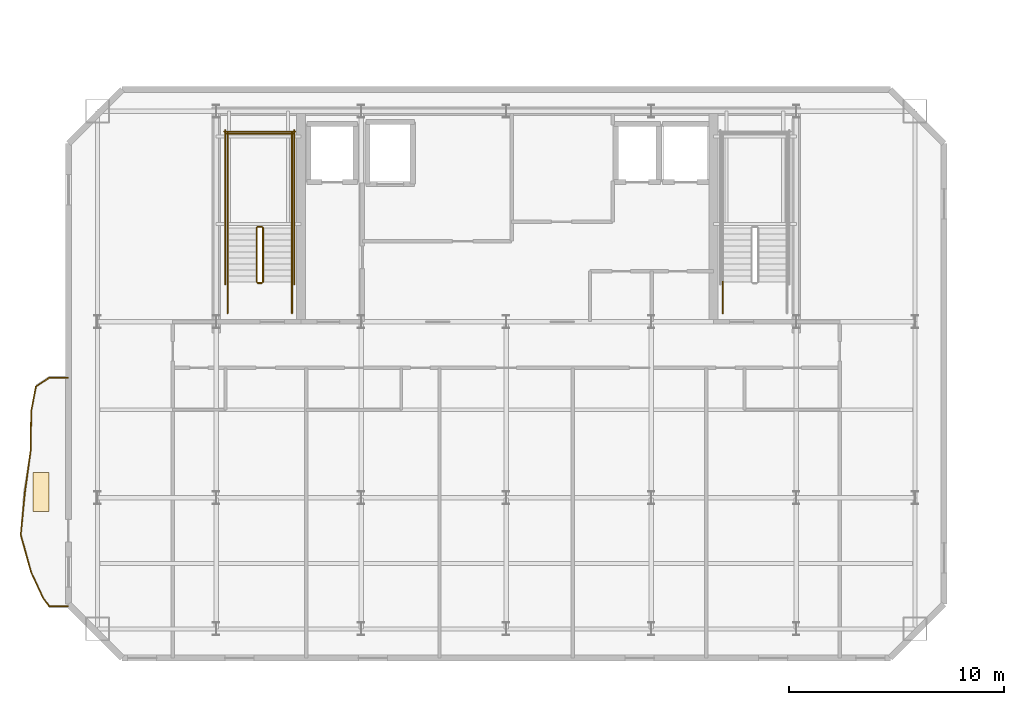
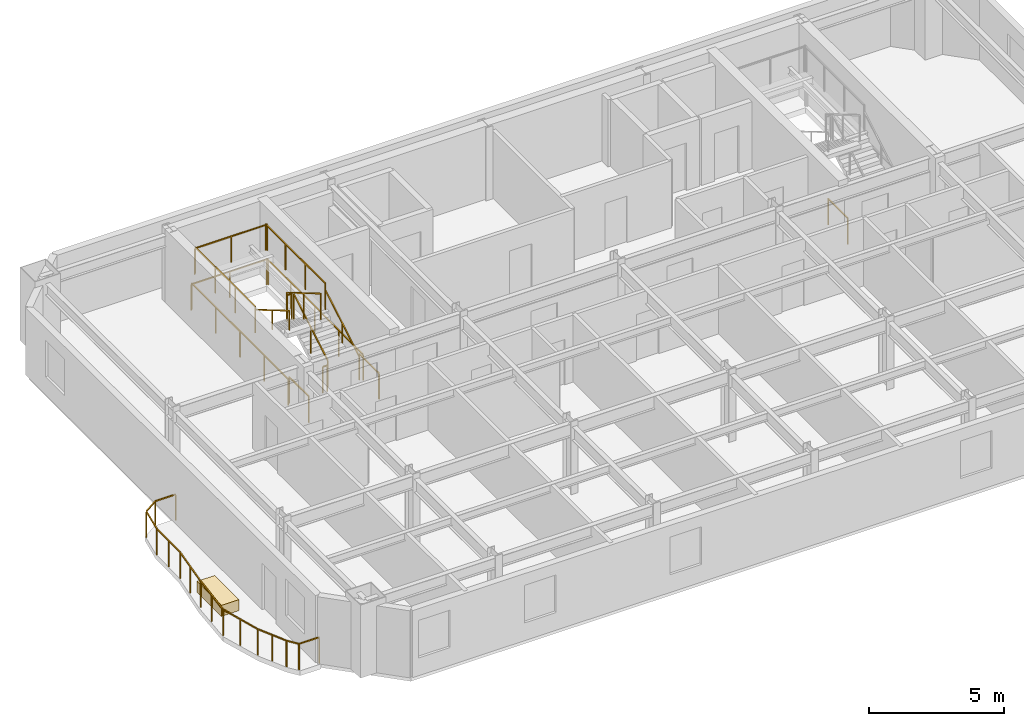
# One storey, part 10 of 14: 25 railings, 1 covering.
"""IFC4 building model written with IfcOpenShell, lengths in metres."""

from ifc_helpers import new_model, si_unit, direction, frame, origin, origin_2d, place, context, subcontext, project, spatial, rectangle, extrude, material, layer, layer_set, type_object, element, save


model = new_model("IFC4")

# Units and contexts
model_context = context("Model", 3, precision=1e-05, world=origin(), true_north=direction((0.0, 1.0)))
body_context = subcontext(model_context, "Body", "Model", "MODEL_VIEW")
ifc_project = project(units=[si_unit("LENGTHUNIT", "METRE"), si_unit("AREAUNIT", "SQUARE_METRE"), si_unit("VOLUMEUNIT", "CUBIC_METRE"), si_unit("PLANEANGLEUNIT", "RADIAN"), si_unit("MASSUNIT", "GRAM", prefix="KILO")], contexts=[model_context])

# Site, building, storey
site_placement = place(None, origin())
site = spatial("IfcSite", under=ifc_project, at=site_placement, CompositionType="ELEMENT")
building_placement = place(site_placement, origin())
building = spatial("IfcBuilding", under=site, at=building_placement, Name="Haevon Station Towers", CompositionType="ELEMENT")
storey_placement = place(building_placement, frame((0.0, 0.0, 205.5)))
storey = spatial("IfcBuildingStorey", under=building, at=storey_placement, Name="L56", CompositionType="ELEMENT", Elevation=205.5)

# Railings
ifc_material_1 = material(Name="Steel S355", Category="steel")
railing_type_1 = type_object("IfcRailingType", Name="GRD-EXT1200", PredefinedType="GUARDRAIL", material=ifc_material_1)
railing_1_placement = place(storey_placement, frame((17.1015625, 35.59716796875, 0.0)))
element("IfcRailing", 1, at=railing_1_placement, inside=storey, type_object=railing_type_1, Name="L56 Perimeter Guardrail 1", PredefinedType="GUARDRAIL", context=body_context, shape_type="SweptSolid", body=[
    extrude(rectangle(XDim=0.048095703125, YDim=0.048095703125, at=origin_2d()), frame((0.0, 0.0, 1.17578125), z_axis=(-0.999997476494, -0.002246554286, 0.0), x_axis=(0.002246554286, -0.999997476494, 0.0)), (0.0, 0.0, 1.0), 0.869384765625),
    extrude(rectangle(XDim=0.0419921875, YDim=0.0419921875, at=origin_2d()), origin(), (0.0, 0.0, 1.0), 1.15185546875),
    extrude(rectangle(XDim=0.0419921875, YDim=0.0419921875, at=origin_2d()), frame((-0.869384765625, -0.001953125, 0.0)), (0.0, 0.0, 1.0), 1.15185546875),
])
railing_2_placement = place(storey_placement, frame((16.232177734375, 35.59521484375, 0.0)))
element("IfcRailing", 2, at=railing_2_placement, inside=storey, type_object=railing_type_1, Name="L56 Perimeter Guardrail 2", PredefinedType="GUARDRAIL", context=body_context, shape_type="SweptSolid", body=[
    extrude(rectangle(XDim=0.048095703125, YDim=0.048095703125, at=origin_2d()), frame((0.0, 0.0, 1.17578125), z_axis=(-0.833160144028, -0.553031802343, 0.0), x_axis=(0.553031802343, -0.833160144028, 0.0)), (0.0, 0.0, 1.0), 0.743408203125),
    extrude(rectangle(XDim=0.0419921875, YDim=0.0419921875, at=origin_2d()), origin(), (0.0, 0.0, 1.0), 1.15185546875),
    extrude(rectangle(XDim=0.0419921875, YDim=0.0419921875, at=origin_2d()), frame((-0.619384765625, -0.4111328125, 0.0)), (0.0, 0.0, 1.0), 1.15185546875),
])
railing_3_placement = place(storey_placement, frame((15.61279296875, 35.18408203125, 0.0)))
element("IfcRailing", 3, at=railing_3_placement, inside=storey, type_object=railing_type_1, Name="L56 Perimeter Guardrail 3", PredefinedType="GUARDRAIL", context=body_context, shape_type="SweptSolid", body=[
    extrude(rectangle(XDim=0.048095703125, YDim=0.048095703125, at=origin_2d()), frame((0.0, 0.0, 1.17578125), z_axis=(-0.18988815167, -0.981805729182, 0.0), x_axis=(0.981805729182, -0.18988815167, 0.0)), (0.0, 0.0, 1.0), 1.19189453125),
    extrude(rectangle(XDim=0.0419921875, YDim=0.0419921875, at=origin_2d()), origin(), (0.0, 0.0, 1.0), 1.15185546875),
    extrude(rectangle(XDim=0.0419921875, YDim=0.0419921875, at=origin_2d()), frame((-0.226318359375, -1.170166015625, 0.0)), (0.0, 0.0, 1.0), 1.15185546875),
])
railing_4_placement = place(storey_placement, frame((15.386474609375, 34.013916015625, 0.0)))
element("IfcRailing", 4, at=railing_4_placement, inside=storey, type_object=railing_type_1, Name="L56 Perimeter Guardrail 4", PredefinedType="GUARDRAIL", context=body_context, shape_type="SweptSolid", body=[
    extrude(rectangle(XDim=0.048095703125, YDim=0.048095703125, at=origin_2d()), frame((0.0, 0.0, 1.17578125), z_axis=(-0.007392739808, -0.999972673326, 0.0), x_axis=(0.999972673326, -0.007392739808, 0.0)), (0.0, 0.0, 1.0), 1.750244140625),
    extrude(rectangle(XDim=0.0419921875, YDim=0.0419921875, at=origin_2d()), origin(), (0.0, 0.0, 1.0), 1.15185546875),
    extrude(rectangle(XDim=0.0419921875, YDim=0.0419921875, at=origin_2d()), frame((-0.00634765625, -0.875, 0.0)), (0.0, 0.0, 1.0), 1.15185546875),
    extrude(rectangle(XDim=0.0419921875, YDim=0.0419921875, at=origin_2d()), frame((-0.012939453125, -1.750244140625, 0.0)), (0.0, 0.0, 1.0), 1.15185546875),
])
railing_5_placement = place(storey_placement, frame((15.37353515625, 32.263671875, 0.0)))
element("IfcRailing", 5, at=railing_5_placement, inside=storey, type_object=railing_type_1, Name="L56 Perimeter Guardrail 5", PredefinedType="GUARDRAIL", context=body_context, shape_type="SweptSolid", body=[
    extrude(rectangle(XDim=0.048095703125, YDim=0.048095703125, at=origin_2d()), frame((0.0, 0.0, 1.17578125), z_axis=(-0.136209388556, -0.990680070693, 0.0), x_axis=(0.990680070693, -0.136209388556, 0.0)), (0.0, 0.0, 1.0), 2.007568359375),
    extrude(rectangle(XDim=0.0419921875, YDim=0.0419921875, at=origin_2d()), origin(), (0.0, 0.0, 1.0), 1.15185546875),
    extrude(rectangle(XDim=0.0419921875, YDim=0.0419921875, at=origin_2d()), frame((-0.13671875, -0.994384765625, 0.0)), (0.0, 0.0, 1.0), 1.15185546875),
    extrude(rectangle(XDim=0.0419921875, YDim=0.0419921875, at=origin_2d()), frame((-0.2734375, -1.98876953125, 0.0)), (0.0, 0.0, 1.0), 1.15185546875),
])
railing_6_placement = place(storey_placement, frame((15.10009765625, 30.27490234375, 0.0)))
element("IfcRailing", 6, at=railing_6_placement, inside=storey, type_object=railing_type_1, Name="L56 Perimeter Guardrail 6", PredefinedType="GUARDRAIL", context=body_context, shape_type="SweptSolid", body=[
    extrude(rectangle(XDim=0.048095703125, YDim=0.048095703125, at=origin_2d()), frame((0.0, 0.0, 1.17578125), z_axis=(-0.097729986477, -0.995212967029, 0.0), x_axis=(0.995212967029, -0.097729986477, 0.0)), (0.0, 0.0, 1.0), 2.00341796875),
    extrude(rectangle(XDim=0.0419921875, YDim=0.0419921875, at=origin_2d()), origin(), (0.0, 0.0, 1.0), 1.15185546875),
    extrude(rectangle(XDim=0.0419921875, YDim=0.0419921875, at=origin_2d()), frame((-0.097900390625, -0.9970703125, 0.0)), (0.0, 0.0, 1.0), 1.15185546875),
    extrude(rectangle(XDim=0.0419921875, YDim=0.0419921875, at=origin_2d()), frame((-0.19580078125, -1.993896484375, 0.0)), (0.0, 0.0, 1.0), 1.15185546875),
])
railing_7_placement = place(storey_placement, frame((14.904296875, 28.281005859375, 0.0)))
element("IfcRailing", 7, at=railing_7_placement, inside=storey, type_object=railing_type_1, Name="L56 Perimeter Guardrail 7", PredefinedType="GUARDRAIL", context=body_context, shape_type="SweptSolid", body=[
    extrude(rectangle(XDim=0.048095703125, YDim=0.048095703125, at=origin_2d()), frame((0.0, 0.0, 1.17578125), z_axis=(0.266356811872, -0.963874498454, 0.0), x_axis=(0.963874498454, 0.266356811872, 0.0)), (0.0, 0.0, 1.0), 1.810302734375),
    extrude(rectangle(XDim=0.0419921875, YDim=0.0419921875, at=origin_2d()), origin(), (0.0, 0.0, 1.0), 1.15185546875),
    extrude(rectangle(XDim=0.0419921875, YDim=0.0419921875, at=origin_2d()), frame((0.2412109375, -0.87255859375, 0.0)), (0.0, 0.0, 1.0), 1.15185546875),
    extrude(rectangle(XDim=0.0419921875, YDim=0.0419921875, at=origin_2d()), frame((0.482177734375, -1.744873046875, 0.0)), (0.0, 0.0, 1.0), 1.15185546875),
])
railing_8_placement = place(storey_placement, frame((15.386474609375, 26.5361328125, 0.0)))
element("IfcRailing", 8, at=railing_8_placement, inside=storey, type_object=railing_type_1, Name="L56 Perimeter Guardrail 8", PredefinedType="GUARDRAIL", context=body_context, shape_type="SweptSolid", body=[
    extrude(rectangle(XDim=0.048095703125, YDim=0.048095703125, at=origin_2d()), frame((0.0, 0.0, 1.17578125), z_axis=(0.42339242702, -0.905946385137, 0.0), x_axis=(0.905946385137, 0.42339242702, 0.0)), (0.0, 0.0, 1.0), 1.291748046875),
    extrude(rectangle(XDim=0.0419921875, YDim=0.0419921875, at=origin_2d()), origin(), (0.0, 0.0, 1.0), 1.15185546875),
    extrude(rectangle(XDim=0.0419921875, YDim=0.0419921875, at=origin_2d()), frame((0.2734375, -0.5849609375, 0.0)), (0.0, 0.0, 1.0), 1.15185546875),
    extrude(rectangle(XDim=0.0419921875, YDim=0.0419921875, at=origin_2d()), frame((0.546875, -1.170166015625, 0.0)), (0.0, 0.0, 1.0), 1.15185546875),
])
railing_9_placement = place(storey_placement, frame((15.933349609375, 25.365966796875, 0.0)))
element("IfcRailing", 9, at=railing_9_placement, inside=storey, type_object=railing_type_1, Name="L56 Perimeter Guardrail 9", PredefinedType="GUARDRAIL", context=body_context, shape_type="SweptSolid", body=[
    extrude(rectangle(XDim=0.048095703125, YDim=0.048095703125, at=origin_2d()), frame((0.0, 0.0, 1.17578125), z_axis=(0.587943185417, -0.808902225688, 0.0), x_axis=(0.808902225688, 0.587943185417, 0.0)), (0.0, 0.0, 1.0), 0.50830078125),
    extrude(rectangle(XDim=0.0419921875, YDim=0.0419921875, at=origin_2d()), origin(), (0.0, 0.0, 1.0), 1.15185546875),
    extrude(rectangle(XDim=0.0419921875, YDim=0.0419921875, at=origin_2d()), frame((0.298828125, -0.4111328125, 0.0)), (0.0, 0.0, 1.0), 1.15185546875),
])
railing_10_placement = place(storey_placement, frame((16.232177734375, 24.954833984375, 0.0)))
element("IfcRailing", 10, at=railing_10_placement, inside=storey, type_object=railing_type_1, Name="L56 Perimeter Guardrail 10", PredefinedType="GUARDRAIL", context=body_context, shape_type="SweptSolid", body=[
    extrude(rectangle(XDim=0.048095703125, YDim=0.048095703125, at=origin_2d()), frame((0.0, 0.0, 1.17578125), z_axis=(0.999997476494, -0.002246554286, 0.0), x_axis=(0.002246554286, 0.999997476494, 0.0)), (0.0, 0.0, 1.0), 0.869384765625),
    extrude(rectangle(XDim=0.0419921875, YDim=0.0419921875, at=origin_2d()), origin(), (0.0, 0.0, 1.0), 1.15185546875),
    extrude(rectangle(XDim=0.0419921875, YDim=0.0419921875, at=origin_2d()), frame((0.869384765625, -0.001953125, 0.0)), (0.0, 0.0, 1.0), 1.15185546875),
])
railing_type_2 = type_object("IfcRailingType", Name="GRD-STR1200", PredefinedType="GUARDRAIL", material=ifc_material_1)
railing_11_placement = place(storey_placement, frame((26.179931640625, 40.050048828125, 0.1650390625)))
element("IfcRailing", 11, at=railing_11_placement, inside=storey, type_object=railing_type_2, Name="L56 ST1 Stair Guard 1", PredefinedType="GUARDRAIL", context=body_context, shape_type="SweptSolid", body=[
    extrude(rectangle(XDim=0.048095703125, YDim=0.048095703125, at=origin_2d()), frame((0.0, 0.0, 1.17578125), z_axis=(0.0, 0.861560626758, 0.507654692109), x_axis=(-1.0, 0.0, 0.0)), (0.0, 0.0, 1.0), 2.925048828125),
    extrude(rectangle(XDim=0.0419921875, YDim=0.0419921875, at=origin_2d()), origin(), (0.0, 0.0, 1.0), 1.15185546875),
    extrude(rectangle(XDim=0.0419921875, YDim=0.0419921875, at=origin_2d()), frame((0.0, 1.260009765625, 0.742431640625)), (0.0, 0.0, 1.0), 1.15185546875),
    extrude(rectangle(XDim=0.0419921875, YDim=0.0419921875, at=origin_2d()), frame((0.0, 2.52001953125, 1.48486328125)), (0.0, 0.0, 1.0), 1.15185546875),
])
railing_12_placement = place(storey_placement, frame((26.1298828125, 42.6201171875, 1.64990234375)))
element("IfcRailing", 12, at=railing_12_placement, inside=storey, type_object=railing_type_2, Name="L56 ST1 Stair Guard 2", PredefinedType="GUARDRAIL", context=body_context, shape_type="SweptSolid", body=[
    extrude(rectangle(XDim=0.048095703125, YDim=0.048095703125, at=origin_2d()), frame((0.0, 0.0, 1.17578125), z_axis=(-1.0, 0.0, 0.0), x_axis=(0.0, -1.0, 0.0)), (0.0, 0.0, 1.0), 0.199951171875),
    extrude(rectangle(XDim=0.0419921875, YDim=0.0419921875, at=origin_2d()), origin(), (0.0, 0.0, 1.0), 1.15185546875),
    extrude(rectangle(XDim=0.0419921875, YDim=0.0419921875, at=origin_2d()), frame((-0.199951171875, 0.0, 0.0)), (0.0, 0.0, 1.0), 1.15185546875),
])
for number, where, name in (
    (13, (27.530029296875, 42.570068359375, 1.64990234375), "L56 ST1 Stair Guard 3"),
    (14, (24.530029296875, 42.570068359375, 1.64990234375), "L56 ST1 Stair Guard 4"),
):
    element("IfcRailing", number, at=place(storey_placement, frame(where)), inside=storey, type_object=railing_type_2, Name=name, PredefinedType="GUARDRAIL", context=body_context, shape_type="SweptSolid", body=[
        extrude(rectangle(XDim=0.048095703125, YDim=0.048095703125, at=origin_2d()), frame((0.0, 0.0, 1.17578125), z_axis=(0.0, 1.0, 0.0), x_axis=(-1.0, 0.0, 0.0)), (0.0, 0.0, 1.0), 4.429931640625),
        extrude(rectangle(XDim=0.0419921875, YDim=0.0419921875, at=origin_2d()), origin(), (0.0, 0.0, 1.0), 1.15185546875),
        extrude(rectangle(XDim=0.0419921875, YDim=0.0419921875, at=origin_2d()), frame((0.0, 1.4765625, 0.0)), (0.0, 0.0, 1.0), 1.15185546875),
        extrude(rectangle(XDim=0.0419921875, YDim=0.0419921875, at=origin_2d()), frame((0.0, 2.953369140625, 0.0)), (0.0, 0.0, 1.0), 1.15185546875),
        extrude(rectangle(XDim=0.0419921875, YDim=0.0419921875, at=origin_2d()), frame((0.0, 4.429931640625, 0.0)), (0.0, 0.0, 1.0), 1.15185546875),
    ])
railing_13_placement = place(storey_placement, frame((27.580078125, 46.949951171875, 1.64990234375)))
element("IfcRailing", 15, at=railing_13_placement, inside=storey, type_object=railing_type_2, Name="L56 ST1 Stair Guard 5", PredefinedType="GUARDRAIL", context=body_context, shape_type="SweptSolid", body=[
    extrude(rectangle(XDim=0.048095703125, YDim=0.048095703125, at=origin_2d()), frame((0.0, 0.0, 1.17578125), z_axis=(-1.0, 0.0, 0.0), x_axis=(0.0, -1.0, 0.0)), (0.0, 0.0, 1.0), 3.10009765625),
    extrude(rectangle(XDim=0.0419921875, YDim=0.0419921875, at=origin_2d()), origin(), (0.0, 0.0, 1.0), 1.15185546875),
    extrude(rectangle(XDim=0.0419921875, YDim=0.0419921875, at=origin_2d()), frame((-1.550048828125, 0.0, 0.0)), (0.0, 0.0, 1.0), 1.15185546875),
    extrude(rectangle(XDim=0.0419921875, YDim=0.0419921875, at=origin_2d()), frame((-3.10009765625, 0.0, 0.0)), (0.0, 0.0, 1.0), 1.15185546875),
])
railing_14_placement = place(storey_placement, frame((25.8798828125, 42.570068359375, 1.81494140625)))
element("IfcRailing", 16, at=railing_14_placement, inside=storey, type_object=railing_type_2, Name="L56 ST1 Stair Guard 6", PredefinedType="GUARDRAIL", context=body_context, shape_type="SweptSolid", body=[
    extrude(rectangle(XDim=0.048095703125, YDim=0.048095703125, at=origin_2d()), frame((0.0, 0.0, 1.17578125), z_axis=(0.0, -0.86152411907, 0.507716645641), x_axis=(1.0, 0.0, 0.0)), (0.0, 0.0, 1.0), 2.925048828125),
    extrude(rectangle(XDim=0.0419921875, YDim=0.0419921875, at=origin_2d()), origin(), (0.0, 0.0, 1.0), 1.15185546875),
    extrude(rectangle(XDim=0.0419921875, YDim=0.0419921875, at=origin_2d()), frame((0.0, -1.260009765625, 0.74267578125)), (0.0, 0.0, 1.0), 1.15185546875),
    extrude(rectangle(XDim=0.0419921875, YDim=0.0419921875, at=origin_2d()), frame((0.0, -2.52001953125, 1.485107421875)), (0.0, 0.0, 1.0), 1.15185546875),
])
railing_15_placement = place(storey_placement, frame((26.1298828125, 40.0, 0.0)))
element("IfcRailing", 17, at=railing_15_placement, inside=storey, type_object=railing_type_2, Name="L56 ST1 Stair Guard 7", PredefinedType="GUARDRAIL", context=body_context, shape_type="SweptSolid", body=[
    extrude(rectangle(XDim=0.048095703125, YDim=0.048095703125, at=origin_2d()), frame((0.0, 0.0, 1.17578125), z_axis=(-1.0, 0.0, 0.0), x_axis=(0.0, -1.0, 0.0)), (0.0, 0.0, 1.0), 0.199951171875),
    extrude(rectangle(XDim=0.0419921875, YDim=0.0419921875, at=origin_2d()), origin(), (0.0, 0.0, 1.0), 1.15185546875),
    extrude(rectangle(XDim=0.0419921875, YDim=0.0419921875, at=origin_2d()), frame((-0.199951171875, 0.0, 0.0)), (0.0, 0.0, 1.0), 1.15185546875),
])
for number, where, name in (
    (18, (27.530029296875, 38.60009765625, 0.0), "L56 ST1 Stair Guard 8"),
    (19, (24.530029296875, 38.60009765625, 0.0), "L56 ST1 Stair Guard 9"),
):
    element("IfcRailing", number, at=place(storey_placement, frame(where)), inside=storey, type_object=railing_type_2, Name=name, PredefinedType="GUARDRAIL", context=body_context, shape_type="SweptSolid", body=[
        extrude(rectangle(XDim=0.048095703125, YDim=0.048095703125, at=origin_2d()), frame((0.0, 0.0, 1.17578125), z_axis=(0.0, 1.0, 0.0), x_axis=(-1.0, 0.0, 0.0)), (0.0, 0.0, 1.0), 1.449951171875),
        extrude(rectangle(XDim=0.0419921875, YDim=0.0419921875, at=origin_2d()), origin(), (0.0, 0.0, 1.0), 1.15185546875),
        extrude(rectangle(XDim=0.0419921875, YDim=0.0419921875, at=origin_2d()), frame((0.0, 1.449951171875, 0.0)), (0.0, 0.0, 1.0), 1.15185546875),
    ])
for number, where, name in (
    (20, (27.6298828125, 39.949951171875, 0.0), "L56 ST1 Stair Guard 10"),
    (21, (24.429931640625, 39.949951171875, 0.0), "L56 ST1 Stair Guard 11"),
):
    element("IfcRailing", number, at=place(storey_placement, frame(where)), inside=storey, type_object=railing_type_2, Name=name, PredefinedType="GUARDRAIL", context=body_context, shape_type="SweptSolid", body=[
        extrude(rectangle(XDim=0.048095703125, YDim=0.048095703125, at=origin_2d()), frame((0.0, 0.0, 1.17578125), z_axis=(0.0, 1.0, 0.0), x_axis=(-1.0, 0.0, 0.0)), (0.0, 0.0, 1.0), 7.150146484375),
        extrude(rectangle(XDim=0.0419921875, YDim=0.0419921875, at=origin_2d()), origin(), (0.0, 0.0, 1.0), 1.15185546875),
        extrude(rectangle(XDim=0.0419921875, YDim=0.0419921875, at=origin_2d()), frame((0.0, 1.78759765625, 0.0)), (0.0, 0.0, 1.0), 1.15185546875),
        extrude(rectangle(XDim=0.0419921875, YDim=0.0419921875, at=origin_2d()), frame((0.0, 3.5751953125, 0.0)), (0.0, 0.0, 1.0), 1.15185546875),
        extrude(rectangle(XDim=0.0419921875, YDim=0.0419921875, at=origin_2d()), frame((0.0, 5.362548828125, 0.0)), (0.0, 0.0, 1.0), 1.15185546875),
        extrude(rectangle(XDim=0.0419921875, YDim=0.0419921875, at=origin_2d()), frame((0.0, 7.150146484375, 0.0)), (0.0, 0.0, 1.0), 1.15185546875),
    ])
railing_16_placement = place(storey_placement, frame((27.679931640625, 47.050048828125, 0.0)))
element("IfcRailing", 22, at=railing_16_placement, inside=storey, type_object=railing_type_2, Name="L56 ST1 Stair Guard 12", PredefinedType="GUARDRAIL", context=body_context, shape_type="SweptSolid", body=[
    extrude(rectangle(XDim=0.048095703125, YDim=0.048095703125, at=origin_2d()), frame((0.0, 0.0, 1.17578125), z_axis=(-1.0, 0.0, 0.0), x_axis=(0.0, -1.0, 0.0)), (0.0, 0.0, 1.0), 3.300048828125),
    extrude(rectangle(XDim=0.0419921875, YDim=0.0419921875, at=origin_2d()), origin(), (0.0, 0.0, 1.0), 1.15185546875),
    extrude(rectangle(XDim=0.0419921875, YDim=0.0419921875, at=origin_2d()), frame((-1.64990234375, 0.0, 0.0)), (0.0, 0.0, 1.0), 1.15185546875),
    extrude(rectangle(XDim=0.0419921875, YDim=0.0419921875, at=origin_2d()), frame((-3.300048828125, 0.0, 0.0)), (0.0, 0.0, 1.0), 1.15185546875),
])
railing_17_placement = place(storey_placement, frame((47.570068359375, 38.60009765625, 0.0)))
element("IfcRailing", 23, at=railing_17_placement, inside=storey, type_object=railing_type_2, Name="L56 ST2 Stair Guard 9", PredefinedType="GUARDRAIL", context=body_context, shape_type="SweptSolid", body=[
    extrude(rectangle(XDim=0.048095703125, YDim=0.048095703125, at=origin_2d()), frame((0.0, 0.0, 1.17578125), z_axis=(0.0, 1.0, 0.0), x_axis=(-1.0, 0.0, 0.0)), (0.0, 0.0, 1.0), 1.449951171875),
    extrude(rectangle(XDim=0.0419921875, YDim=0.0419921875, at=origin_2d()), origin(), (0.0, 0.0, 1.0), 1.15185546875),
    extrude(rectangle(XDim=0.0419921875, YDim=0.0419921875, at=origin_2d()), frame((0.0, 1.449951171875, 0.0)), (0.0, 0.0, 1.0), 1.15185546875),
])
railing_type_3 = type_object("IfcRailingType", Name="HND-STR900", PredefinedType="HANDRAIL", material=ifc_material_1)
railing_18_placement = place(storey_placement, frame((27.530029296875, 40.050048828125, 0.1650390625)))
element("IfcRailing", 24, at=railing_18_placement, inside=storey, type_object=railing_type_3, Name="L56 ST1 Stair Handrail 1", PredefinedType="HANDRAIL", context=body_context, shape_type="SweptSolid", body=[
    extrude(rectangle(XDim=0.048095703125, YDim=0.048095703125, at=origin_2d()), frame((0.0, 0.0, 0.8759765625), z_axis=(0.0, 0.861560626758, 0.507654692109), x_axis=(-1.0, 0.0, 0.0)), (0.0, 0.0, 1.0), 2.925048828125),
    extrude(rectangle(XDim=0.0419921875, YDim=0.0419921875, at=origin_2d()), origin(), (0.0, 0.0, 1.0), 0.851806640625),
    extrude(rectangle(XDim=0.0419921875, YDim=0.0419921875, at=origin_2d()), frame((0.0, 1.260009765625, 0.742431640625)), (0.0, 0.0, 1.0), 0.851806640625),
    extrude(rectangle(XDim=0.0419921875, YDim=0.0419921875, at=origin_2d()), frame((0.0, 2.52001953125, 1.48486328125)), (0.0, 0.0, 1.0), 0.851806640625),
])
railing_19_placement = place(storey_placement, frame((24.530029296875, 42.570068359375, 1.81494140625)))
element("IfcRailing", 25, at=railing_19_placement, inside=storey, type_object=railing_type_3, Name="L56 ST1 Stair Handrail 2", PredefinedType="HANDRAIL", context=body_context, shape_type="SweptSolid", body=[
    extrude(rectangle(XDim=0.048095703125, YDim=0.048095703125, at=origin_2d()), frame((0.0, 0.0, 0.8759765625), z_axis=(0.0, -0.86152411907, 0.507716645641), x_axis=(1.0, 0.0, 0.0)), (0.0, 0.0, 1.0), 2.925048828125),
    extrude(rectangle(XDim=0.0419921875, YDim=0.0419921875, at=origin_2d()), origin(), (0.0, 0.0, 1.0), 0.851806640625),
    extrude(rectangle(XDim=0.0419921875, YDim=0.0419921875, at=origin_2d()), frame((0.0, -1.260009765625, 0.74267578125)), (0.0, 0.0, 1.0), 0.851806640625),
    extrude(rectangle(XDim=0.0419921875, YDim=0.0419921875, at=origin_2d()), frame((0.0, -2.52001953125, 1.485107421875)), (0.0, 0.0, 1.0), 0.851806640625),
])

# Covering
ifc_material_2 = material(Name="Architectural planter GRC", Category="concrete")
ifc_layer = layer(ifc_material_2, 0.550048828125)
ifc_layer_set = layer_set([ifc_layer], Name="Architectural planter GRC")
covering_type = type_object("IfcCoveringType", Name="PLN-GRC550", PredefinedType="MOLDING", material=ifc_layer_set)
covering_placement = place(storey_placement, frame((15.841796875, 30.27490234375, 0.0), z_axis=(0.0, 0.0, 1.0), x_axis=(1.0, 0.0, 0.0)))
element("IfcCovering", 26, at=covering_placement, inside=storey, type_object=covering_type, Name="Tower 1 L56 Scalloped Balcony PLANTER", PredefinedType="MOLDING", context=body_context, shape_type="SweptSolid", body=[
    extrude(rectangle(XDim=0.75, YDim=1.800048828125, at=origin_2d()), origin(), (0.0, 0.0, 1.0), 0.5),
])

save(model, "model.ifc")
